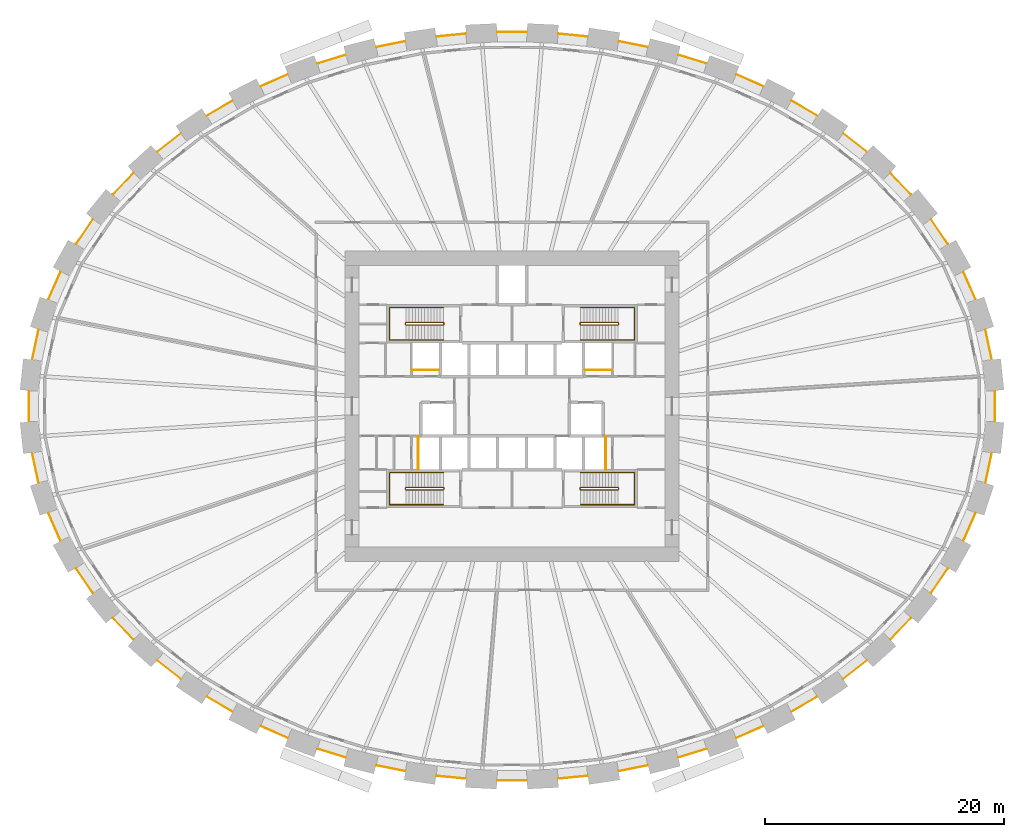
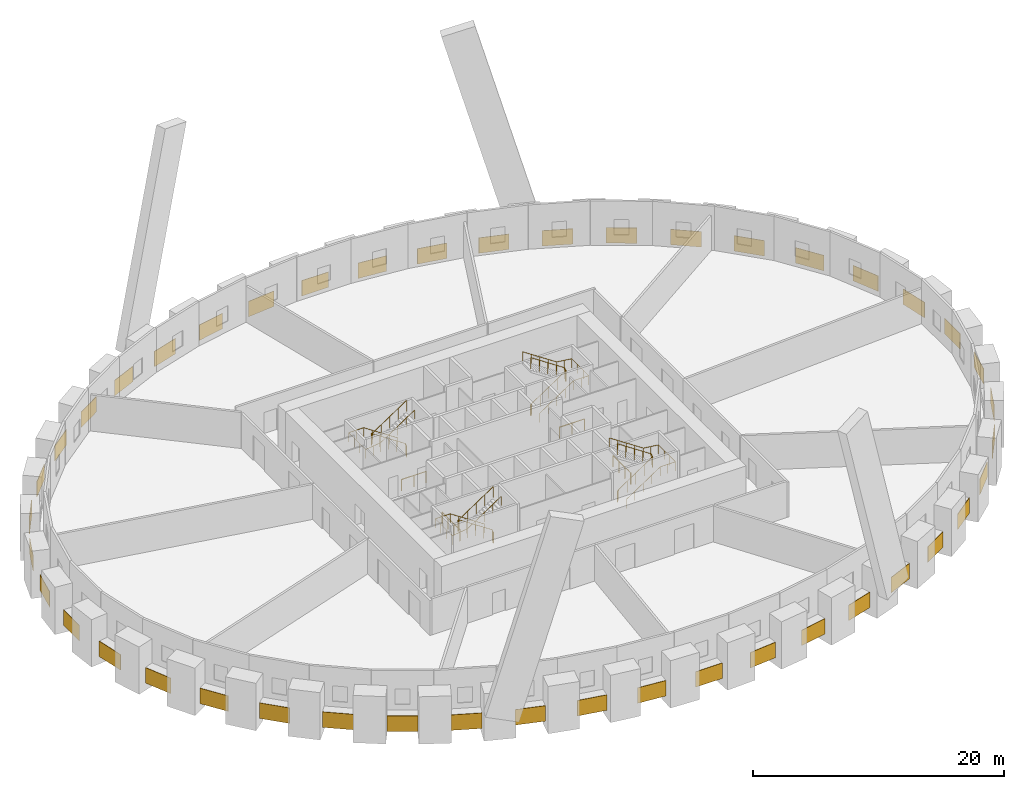
# One storey, part 9 of 9: 44 coverings, 12 railings.
"""IFC4 building model written with IfcOpenShell, lengths in metres."""

from ifc_helpers import new_model, si_unit, direction, frame, origin, origin_2d, place, context, subcontext, project, spatial, rectangle, circle, extrude, source, transform, mapped, material, layer, layer_set, type_object, element, save


model = new_model("IFC4")

# Units and contexts
model_context = context("Model", 3, precision=1e-05, world=origin(), true_north=direction((0.0, 1.0)))
body_context = subcontext(model_context, "Body", "Model", "MODEL_VIEW")
ifc_project = project(units=[si_unit("LENGTHUNIT", "METRE"), si_unit("AREAUNIT", "SQUARE_METRE"), si_unit("VOLUMEUNIT", "CUBIC_METRE"), si_unit("PLANEANGLEUNIT", "RADIAN"), si_unit("MASSUNIT", "GRAM", prefix="KILO")], contexts=[model_context])

# Site, building, storey
site_placement = place(None, origin())
site = spatial("IfcSite", under=ifc_project, at=site_placement, CompositionType="ELEMENT")
building_placement = place(site_placement, origin())
building = spatial("IfcBuilding", under=site, at=building_placement, Name="Embergate Tower", CompositionType="ELEMENT")
storey_placement = place(building_placement, frame((0.0, 0.0, 53.60009765625)))
storey = spatial("IfcBuildingStorey", under=building, at=storey_placement, Name="L09", CompositionType="ELEMENT", Elevation=53.60009765625)

# Coverings
ifc_material_1 = material(Name="Terracotta rainscreen on insulated backing", Category="masonry")
ifc_layer = layer(ifc_material_1, 0.0400390625)
ifc_layer_set = layer_set([ifc_layer], Name="Terracotta rainscreen on insulated backing")
covering_type = type_object("IfcCoveringType", Name="Terracotta rainscreen band", PredefinedType="CLADDING", material=ifc_layer_set)
shared_shape_1 = source(origin(), body_context, "Body", "SweptSolid", [
    extrude(rectangle(XDim=2.51611328125, YDim=0.0400390625, at=origin_2d()), origin(), (0.0, 0.0, 1.0), 1.5),
])
for number, where, z_axis, x_axis, name in (
    (1, (39.9111328125, 5.162353515625, -0.75), (0.0, 0.0, 1.0), (-0.210234587136, 0.977650969606, 0.0), "Rainscreen band 1"),
    (2, (-39.9111328125, 5.162353515625, -0.75), (0.0, 0.0, 1.0), (-0.210234587136, -0.977650969606, 0.0), "Rainscreen band 21"),
    (3, (-39.9111328125, -5.162353515625, -0.75), (0.0, 0.0, 1.0), (0.210234587136, -0.977650969606, 0.0), "Rainscreen band 23"),
    (4, (39.9111328125, -5.162353515625, -0.75), (0.0, 0.0, 1.0), (0.210234587136, 0.977650969606, 0.0), "Rainscreen band 43"),
):
    element("IfcCovering", number, at=place(storey_placement, frame(where, z_axis=z_axis, x_axis=x_axis)), inside=storey, type_object=covering_type, Name=name, PredefinedType="CLADDING", context=body_context, shape_type="MappedRepresentation", body=[
        mapped(shared_shape_1, transform((0.0, 0.0, 0.0))),
    ])
shared_shape_2 = source(origin(), body_context, "Body", "SweptSolid", [
    extrude(rectangle(XDim=2.51123046875, YDim=0.0400390625, at=origin_2d()), origin(), (0.0, 0.0, 1.0), 1.5),
])
for number, where, z_axis, x_axis, name in (
    (5, (38.316650390625, 10.0966796875, -0.75), (0.0, 0.0, 1.0), (-0.401404340796, 0.915900952718, 0.0), "Rainscreen band 2"),
    (6, (-38.316650390625, 10.0966796875, -0.75), (0.0, 0.0, 1.0), (-0.401404340796, -0.915900952718, 0.0), "Rainscreen band 20"),
    (7, (-38.316650390625, -10.0966796875, -0.75), (0.0, 0.0, 1.0), (0.401404340796, -0.915900952718, 0.0), "Rainscreen band 24"),
    (8, (38.316650390625, -10.0966796875, -0.75), (0.0, 0.0, 1.0), (0.401404340796, 0.915900952718, 0.0), "Rainscreen band 42"),
):
    element("IfcCovering", number, at=place(storey_placement, frame(where, z_axis=z_axis, x_axis=x_axis)), inside=storey, type_object=covering_type, Name=name, PredefinedType="CLADDING", context=body_context, shape_type="MappedRepresentation", body=[
        mapped(shared_shape_2, transform((0.0, 0.0, 0.0))),
    ])
shared_shape_3 = source(origin(), body_context, "Body", "SweptSolid", [
    extrude(rectangle(XDim=2.502197265625, YDim=0.0400390625, at=origin_2d()), origin(), (0.0, 0.0, 1.0), 1.5),
])
for number, where, z_axis, x_axis, name in (
    (9, (35.7958984375, 14.61376953125, -0.75), (0.0, 0.0, 1.0), (-0.562331639324, 0.826911801473, 0.0), "Rainscreen band 3"),
    (10, (-35.7958984375, 14.61376953125, -0.75), (0.0, 0.0, 1.0), (-0.562331639324, -0.826911801473, 0.0), "Rainscreen band 19"),
    (11, (-35.7958984375, -14.61376953125, -0.75), (0.0, 0.0, 1.0), (0.562331639324, -0.826911801473, 0.0), "Rainscreen band 25"),
    (12, (35.7958984375, -14.61376953125, -0.75), (0.0, 0.0, 1.0), (0.562331639324, 0.826911801473, 0.0), "Rainscreen band 41"),
):
    element("IfcCovering", number, at=place(storey_placement, frame(where, z_axis=z_axis, x_axis=x_axis)), inside=storey, type_object=covering_type, Name=name, PredefinedType="CLADDING", context=body_context, shape_type="MappedRepresentation", body=[
        mapped(shared_shape_3, transform((0.0, 0.0, 0.0))),
    ])
shared_shape_4 = source(origin(), body_context, "Body", "SweptSolid", [
    extrude(rectangle(XDim=2.495361328125, YDim=0.0400390625, at=origin_2d()), origin(), (0.0, 0.0, 1.0), 1.5),
])
for number, where, z_axis, x_axis, name in (
    (13, (32.553955078125, 18.626708984375, -0.75), (0.0, 0.0, 1.0), (-0.690075681341, 0.723737213374, 0.0), "Rainscreen band 4"),
    (14, (-32.553955078125, 18.626708984375, -0.75), (0.0, 0.0, 1.0), (-0.690075681341, -0.723737213374, 0.0), "Rainscreen band 18"),
    (15, (-32.553955078125, -18.626708984375, -0.75), (0.0, 0.0, 1.0), (0.690075681341, -0.723737213374, 0.0), "Rainscreen band 26"),
    (16, (32.553955078125, -18.626708984375, -0.75), (0.0, 0.0, 1.0), (0.690075681341, 0.723737213374, 0.0), "Rainscreen band 40"),
):
    element("IfcCovering", number, at=place(storey_placement, frame(where, z_axis=z_axis, x_axis=x_axis)), inside=storey, type_object=covering_type, Name=name, PredefinedType="CLADDING", context=body_context, shape_type="MappedRepresentation", body=[
        mapped(shared_shape_4, transform((0.0, 0.0, 0.0))),
    ])
shared_shape_5 = source(origin(), body_context, "Body", "SweptSolid", [
    extrude(rectangle(XDim=2.4873046875, YDim=0.0400390625, at=origin_2d()), origin(), (0.0, 0.0, 1.0), 1.5),
])
for number, where, z_axis, x_axis, name in (
    (17, (28.725830078125, 22.067138671875, -0.75), (0.0, 0.0, 1.0), (-0.788419976038, 0.615137335384, 0.0), "Rainscreen band 5"),
    (18, (-28.725830078125, 22.067138671875, -0.75), (0.0, 0.0, 1.0), (-0.788419976038, -0.615137335384, 0.0), "Rainscreen band 17"),
    (19, (-28.725830078125, -22.067138671875, -0.75), (0.0, 0.0, 1.0), (0.788419976038, -0.615137335384, 0.0), "Rainscreen band 27"),
    (20, (28.725830078125, -22.067138671875, -0.75), (0.0, 0.0, 1.0), (0.788419976038, 0.615137335384, 0.0), "Rainscreen band 39"),
):
    element("IfcCovering", number, at=place(storey_placement, frame(where, z_axis=z_axis, x_axis=x_axis)), inside=storey, type_object=covering_type, Name=name, PredefinedType="CLADDING", context=body_context, shape_type="MappedRepresentation", body=[
        mapped(shared_shape_5, transform((0.0, 0.0, 0.0))),
    ])
shared_shape_6 = source(origin(), body_context, "Body", "SweptSolid", [
    extrude(rectangle(XDim=2.4814453125, YDim=0.0400390625, at=origin_2d()), origin(), (0.0, 0.0, 1.0), 1.5),
])
for number, where, z_axis, x_axis, name in (
    (21, (24.48046875, 24.9541015625, -0.75), (0.0, 0.0, 1.0), (-0.86197531601, 0.506950248633, 0.0), "Rainscreen band 6"),
    (22, (-24.48046875, 24.9541015625, -0.75), (0.0, 0.0, 1.0), (-0.86197531601, -0.506950248633, 0.0), "Rainscreen band 16"),
    (23, (-24.48046875, -24.9541015625, -0.75), (0.0, 0.0, 1.0), (0.86197531601, -0.506950248633, 0.0), "Rainscreen band 28"),
    (24, (24.48046875, -24.9541015625, -0.75), (0.0, 0.0, 1.0), (0.86197531601, 0.506950248633, 0.0), "Rainscreen band 38"),
):
    element("IfcCovering", number, at=place(storey_placement, frame(where, z_axis=z_axis, x_axis=x_axis)), inside=storey, type_object=covering_type, Name=name, PredefinedType="CLADDING", context=body_context, shape_type="MappedRepresentation", body=[
        mapped(shared_shape_6, transform((0.0, 0.0, 0.0))),
    ])
shared_shape_7 = source(origin(), body_context, "Body", "SweptSolid", [
    extrude(rectangle(XDim=2.47900390625, YDim=0.0400390625, at=origin_2d()), origin(), (0.0, 0.0, 1.0), 1.5),
])
for number, where, z_axis, x_axis, name in (
    (25, (19.914794921875, 27.28369140625, -0.75), (0.0, 0.0, 1.0), (-0.91609280765, 0.400966292563, 0.0), "Rainscreen band 7"),
    (26, (-19.914794921875, 27.28369140625, -0.75), (0.0, 0.0, 1.0), (-0.91609280765, -0.400966292563, 0.0), "Rainscreen band 15"),
    (27, (-19.914794921875, -27.28369140625, -0.75), (0.0, 0.0, 1.0), (0.91609280765, -0.400966292563, 0.0), "Rainscreen band 29"),
    (28, (19.914794921875, -27.28369140625, -0.75), (0.0, 0.0, 1.0), (0.91609280765, 0.400966292563, 0.0), "Rainscreen band 37"),
):
    element("IfcCovering", number, at=place(storey_placement, frame(where, z_axis=z_axis, x_axis=x_axis)), inside=storey, type_object=covering_type, Name=name, PredefinedType="CLADDING", context=body_context, shape_type="MappedRepresentation", body=[
        mapped(shared_shape_7, transform((0.0, 0.0, 0.0))),
    ])
shared_shape_8 = source(origin(), body_context, "Body", "SweptSolid", [
    extrude(rectangle(XDim=2.474609375, YDim=0.0400390625, at=origin_2d()), origin(), (0.0, 0.0, 1.0), 1.5),
])
for number, where, z_axis, x_axis, name in (
    (29, (15.111083984375, 29.054443359375, -0.75), (0.0, 0.0, 1.0), (-0.954874394493, 0.297009916906, 0.0), "Rainscreen band 8"),
    (30, (-15.111083984375, 29.054443359375, -0.75), (0.0, 0.0, 1.0), (-0.954874394493, -0.297009916906, 0.0), "Rainscreen band 14"),
    (31, (-15.111083984375, -29.054443359375, -0.75), (0.0, 0.0, 1.0), (0.954874394493, -0.297009916906, 0.0), "Rainscreen band 30"),
    (32, (15.111083984375, -29.054443359375, -0.75), (0.0, 0.0, 1.0), (0.954874394493, 0.297009916906, 0.0), "Rainscreen band 36"),
):
    element("IfcCovering", number, at=place(storey_placement, frame(where, z_axis=z_axis, x_axis=x_axis)), inside=storey, type_object=covering_type, Name=name, PredefinedType="CLADDING", context=body_context, shape_type="MappedRepresentation", body=[
        mapped(shared_shape_8, transform((0.0, 0.0, 0.0))),
    ])
shared_shape_9 = source(origin(), body_context, "Body", "SweptSolid", [
    extrude(rectangle(XDim=2.47119140625, YDim=0.0400390625, at=origin_2d()), origin(), (0.0, 0.0, 1.0), 1.5),
])
for number, where, z_axis, x_axis, name in (
    (33, (10.156982421875, 30.31884765625, -0.75), (0.0, 0.0, 1.0), (-0.980471445554, 0.196661497131, 0.0), "Rainscreen band 9"),
    (34, (-10.156982421875, 30.31884765625, -0.75), (0.0, 0.0, 1.0), (-0.980471445554, -0.196661497131, 0.0), "Rainscreen band 13"),
    (35, (-10.156982421875, -30.31884765625, -0.75), (0.0, 0.0, 1.0), (0.980471445554, -0.196661497131, 0.0), "Rainscreen band 31"),
    (36, (10.156982421875, -30.31884765625, -0.75), (0.0, 0.0, 1.0), (0.980471445554, 0.196661497131, 0.0), "Rainscreen band 35"),
):
    element("IfcCovering", number, at=place(storey_placement, frame(where, z_axis=z_axis, x_axis=x_axis)), inside=storey, type_object=covering_type, Name=name, PredefinedType="CLADDING", context=body_context, shape_type="MappedRepresentation", body=[
        mapped(shared_shape_9, transform((0.0, 0.0, 0.0))),
    ])
shared_shape_10 = source(origin(), body_context, "Body", "SweptSolid", [
    extrude(rectangle(XDim=2.470947265625, YDim=0.0400390625, at=origin_2d()), origin(), (0.0, 0.0, 1.0), 1.5),
])
for number, where, z_axis, x_axis, name in (
    (37, (5.1025390625, 31.072021484375, -0.75), (0.0, 0.0, 1.0), (-0.995192250914, 0.09794071534, 0.0), "Rainscreen band 10"),
    (38, (-5.1025390625, 31.072021484375, -0.75), (0.0, 0.0, 1.0), (-0.995192250914, -0.09794071534, 0.0), "Rainscreen band 12"),
    (39, (-5.1025390625, -31.072021484375, -0.75), (0.0, 0.0, 1.0), (0.995192250914, -0.09794071534, 0.0), "Rainscreen band 32"),
    (40, (5.1025390625, -31.072021484375, -0.75), (0.0, 0.0, 1.0), (0.995192250914, 0.09794071534, 0.0), "Rainscreen band 34"),
):
    element("IfcCovering", number, at=place(storey_placement, frame(where, z_axis=z_axis, x_axis=x_axis)), inside=storey, type_object=covering_type, Name=name, PredefinedType="CLADDING", context=body_context, shape_type="MappedRepresentation", body=[
        mapped(shared_shape_10, transform((0.0, 0.0, 0.0))),
    ])
shared_shape_11 = source(origin(), body_context, "Body", "SweptSolid", [
    extrude(rectangle(XDim=2.469970703125, YDim=0.0400390625, at=origin_2d()), origin(), (0.0, 0.0, 1.0), 1.5),
])
for number, where, z_axis, x_axis, name in (
    (41, (0.0, 31.322998046875, -0.75), (0.0, 0.0, 1.0), (-1.0, 0.0, 0.0), "Rainscreen band 11"),
    (42, (0.0, -31.322998046875, -0.75), (0.0, 0.0, 1.0), (1.0, 0.0, 0.0), "Rainscreen band 33"),
):
    element("IfcCovering", number, at=place(storey_placement, frame(where, z_axis=z_axis, x_axis=x_axis)), inside=storey, type_object=covering_type, Name=name, PredefinedType="CLADDING", context=body_context, shape_type="MappedRepresentation", body=[
        mapped(shared_shape_11, transform((0.0, 0.0, 0.0))),
    ])
shared_shape_12 = source(origin(), body_context, "Body", "SweptSolid", [
    extrude(rectangle(XDim=2.51806640625, YDim=0.0400390625, at=origin_2d()), origin(), (0.0, 0.0, 1.0), 1.5),
])
for number, where, z_axis, x_axis, name in (
    (43, (-40.4599609375, 0.0, -0.75), (0.0, 0.0, 1.0), (0.0, -1.0, 0.0), "Rainscreen band 22"),
    (44, (40.4599609375, 0.0, -0.75), (0.0, 0.0, 1.0), (0.0, 1.0, 0.0), "Rainscreen band 44"),
):
    element("IfcCovering", number, at=place(storey_placement, frame(where, z_axis=z_axis, x_axis=x_axis)), inside=storey, type_object=covering_type, Name=name, PredefinedType="CLADDING", context=body_context, shape_type="MappedRepresentation", body=[
        mapped(shared_shape_12, transform((0.0, 0.0, 0.0))),
    ])

# Railings
ifc_material_2 = material(Name="Stair guard 1100")
railing_type_1 = type_object("IfcRailingType", Name="Stair guard 1100", PredefinedType="GUARDRAIL", material=ifc_material_2)
shared_shape_13 = source(origin(), body_context, "Body", "SweptSolid", [
    extrude(circle(Radius=0.02392578125, at=origin_2d()), frame((0.0, 0.0, 1.076171875), z_axis=(0.0, 1.0, 0.0), x_axis=(-1.0, 0.0, 0.0)), (0.0, 0.0, 1.0), 0.099853515625),
    extrude(circle(Radius=0.02392578125, at=origin_2d()), frame((0.0, 0.099853515625, 1.076171875), z_axis=(-0.267629722418, 0.267629722418, 0.925607186314), x_axis=(-0.707106781187, -0.707106781187, 0.0)), (0.0, 0.0, 1.0), 0.18701171875),
    extrude(circle(Radius=0.02392578125, at=origin_2d()), frame((-0.050048828125, 0.14990234375, 1.2490234375), z_axis=(-0.83244090515, 0.0, 0.554113832559), x_axis=(0.0, -1.0, 0.0)), (0.0, 0.0, 1.0), 3.748046875),
    extrude(circle(Radius=0.02392578125, at=origin_2d()), frame((-3.170166015625, 0.14990234375, 3.326171875), z_axis=(-0.705375805398, -0.708833529934, 0.0), x_axis=(0.708833529934, -0.705375805398, 0.0)), (0.0, 0.0, 1.0), 0.070556640625),
    extrude(circle(Radius=0.02392578125, at=origin_2d()), frame((-3.219970703125, 0.099853515625, 3.326171875), z_axis=(0.0, -1.0, 0.0), x_axis=(1.0, 0.0, 0.0)), (0.0, 0.0, 1.0), 0.099853515625),
    extrude(circle(Radius=0.02392578125, at=origin_2d()), frame((-3.219970703125, 0.0, 3.326171875), z_axis=(0.266417085129, -0.267723051232, 0.925929967433), x_axis=(0.708833529934, 0.705375805398, 0.0)), (0.0, 0.0, 1.0), 0.18701171875),
    extrude(circle(Radius=0.02392578125, at=origin_2d()), frame((-3.170166015625, -0.050048828125, 3.4990234375), z_axis=(0.83244090515, 0.0, 0.554113832559), x_axis=(0.0, 1.0, 0.0)), (0.0, 0.0, 1.0), 3.748046875),
    extrude(circle(Radius=0.02099609375, at=origin_2d()), origin(), (0.0, 0.0, 1.0), 1.052001953125),
    extrude(circle(Radius=0.02099609375, at=origin_2d()), frame((0.0, 0.099853515625, 0.0)), (0.0, 0.0, 1.0), 1.052001953125),
    extrude(circle(Radius=0.02099609375, at=origin_2d()), frame((-0.050048828125, 0.14990234375, 0.173095703125)), (0.0, 0.0, 1.0), 1.052001953125),
    extrude(circle(Radius=0.02099609375, at=origin_2d()), frame((-0.830078125, 0.14990234375, 0.6923828125)), (0.0, 0.0, 1.0), 1.052001953125),
    extrude(circle(Radius=0.02099609375, at=origin_2d()), frame((-1.610107421875, 0.14990234375, 1.21142578125)), (0.0, 0.0, 1.0), 1.052001953125),
    extrude(circle(Radius=0.02099609375, at=origin_2d()), frame((-2.39013671875, 0.14990234375, 1.730712890625)), (0.0, 0.0, 1.0), 1.052001953125),
    extrude(circle(Radius=0.02099609375, at=origin_2d()), frame((-3.170166015625, 0.14990234375, 2.25)), (0.0, 0.0, 1.0), 1.052001953125),
    extrude(circle(Radius=0.02099609375, at=origin_2d()), frame((-3.219970703125, 0.099853515625, 2.25)), (0.0, 0.0, 1.0), 1.052001953125),
    extrude(circle(Radius=0.02099609375, at=origin_2d()), frame((-3.219970703125, 0.0, 2.25)), (0.0, 0.0, 1.0), 1.052001953125),
    extrude(circle(Radius=0.02099609375, at=origin_2d()), frame((-3.170166015625, -0.050048828125, 2.423095703125)), (0.0, 0.0, 1.0), 1.052001953125),
    extrude(circle(Radius=0.02099609375, at=origin_2d()), frame((-2.39013671875, -0.050048828125, 2.9423828125)), (0.0, 0.0, 1.0), 1.052001953125),
    extrude(circle(Radius=0.02099609375, at=origin_2d()), frame((-1.610107421875, -0.050048828125, 3.46142578125)), (0.0, 0.0, 1.0), 1.052001953125),
    extrude(circle(Radius=0.02099609375, at=origin_2d()), frame((-0.830078125, -0.050048828125, 3.980712890625)), (0.0, 0.0, 1.0), 1.052001953125),
    extrude(circle(Radius=0.02099609375, at=origin_2d()), frame((-0.050048828125, -0.050048828125, 4.5)), (0.0, 0.0, 1.0), 1.052001953125),
])
for number, where, name in (
    (45, (-5.699951171875, 6.85009765625, 0.0), "L09 ST1 stair guard 1"),
    (46, (-5.699951171875, -6.949951171875, 0.0), "L09 ST3 stair guard 1"),
):
    element("IfcRailing", number, at=place(storey_placement, frame(where)), inside=storey, type_object=railing_type_1, Name=name, PredefinedType="GUARDRAIL", context=body_context, shape_type="MappedRepresentation", body=[
        mapped(shared_shape_13, transform((0.0, 0.0, 0.0))),
    ])
ifc_material_3 = material(Name="Stair handrail 900")
railing_type_2 = type_object("IfcRailingType", Name="Stair handrail 900", PredefinedType="HANDRAIL", material=ifc_material_3)
shared_shape_14 = source(origin(), body_context, "Body", "SweptSolid", [
    extrude(circle(Radius=0.02392578125, at=origin_2d()), frame((0.0, 0.0, 0.8759765625), z_axis=(-0.83244090515, 0.0, 0.554113832559), x_axis=(0.0, -1.0, 0.0)), (0.0, 0.0, 1.0), 3.748046875),
    extrude(circle(Radius=0.02392578125, at=origin_2d()), frame((-3.1201171875, 0.0, 2.95263671875), z_axis=(-1.0, 0.0, 0.0), x_axis=(0.0, -1.0, 0.0)), (0.0, 0.0, 1.0), 1.3798828125),
    extrude(circle(Radius=0.02392578125, at=origin_2d()), frame((-4.5, 0.0, 2.95263671875), z_axis=(0.0, -1.0, 0.0), x_axis=(1.0, 0.0, 0.0)), (0.0, 0.0, 1.0), 2.699951171875),
    extrude(circle(Radius=0.02392578125, at=origin_2d()), frame((-4.5, -2.699951171875, 2.95263671875), z_axis=(0.992223766409, 0.0, 0.12446685251), x_axis=(0.0, 1.0, 0.0)), (0.0, 0.0, 1.0), 1.390625),
    extrude(circle(Radius=0.02392578125, at=origin_2d()), frame((-3.1201171875, -2.699951171875, 3.1259765625), z_axis=(0.83244090515, 0.0, 0.554113832559), x_axis=(0.0, 1.0, 0.0)), (0.0, 0.0, 1.0), 3.748046875),
    extrude(circle(Radius=0.02099609375, at=origin_2d()), origin(), (0.0, 0.0, 1.0), 0.851806640625),
    extrude(circle(Radius=0.02099609375, at=origin_2d()), frame((-0.780029296875, 0.0, 0.519287109375)), (0.0, 0.0, 1.0), 0.851806640625),
    extrude(circle(Radius=0.02099609375, at=origin_2d()), frame((-1.56005859375, 0.0, 1.03857421875)), (0.0, 0.0, 1.0), 0.851806640625),
    extrude(circle(Radius=0.02099609375, at=origin_2d()), frame((-2.340087890625, 0.0, 1.5576171875)), (0.0, 0.0, 1.0), 0.851806640625),
    extrude(circle(Radius=0.02099609375, at=origin_2d()), frame((-3.1201171875, 0.0, 2.076904296875)), (0.0, 0.0, 1.0), 0.851806640625),
    extrude(circle(Radius=0.02099609375, at=origin_2d()), frame((-3.81005859375, 0.0, 2.076904296875)), (0.0, 0.0, 1.0), 0.851806640625),
    extrude(circle(Radius=0.02099609375, at=origin_2d()), frame((-4.5, 0.0, 2.076904296875)), (0.0, 0.0, 1.0), 0.851806640625),
    extrude(circle(Radius=0.02099609375, at=origin_2d()), frame((-4.5, -0.89990234375, 2.076904296875)), (0.0, 0.0, 1.0), 0.851806640625),
    extrude(circle(Radius=0.02099609375, at=origin_2d()), frame((-4.5, -1.800048828125, 2.076904296875)), (0.0, 0.0, 1.0), 0.851806640625),
    extrude(circle(Radius=0.02099609375, at=origin_2d()), frame((-4.5, -2.699951171875, 2.076904296875)), (0.0, 0.0, 1.0), 0.851806640625),
    extrude(circle(Radius=0.02099609375, at=origin_2d()), frame((-3.81005859375, -2.699951171875, 2.16357421875)), (0.0, 0.0, 1.0), 0.851806640625),
    extrude(circle(Radius=0.02099609375, at=origin_2d()), frame((-3.1201171875, -2.699951171875, 2.25)), (0.0, 0.0, 1.0), 0.851806640625),
    extrude(circle(Radius=0.02099609375, at=origin_2d()), frame((-2.340087890625, -2.699951171875, 2.769287109375)), (0.0, 0.0, 1.0), 0.851806640625),
    extrude(circle(Radius=0.02099609375, at=origin_2d()), frame((-1.56005859375, -2.699951171875, 3.28857421875)), (0.0, 0.0, 1.0), 0.851806640625),
    extrude(circle(Radius=0.02099609375, at=origin_2d()), frame((-0.780029296875, -2.699951171875, 3.8076171875)), (0.0, 0.0, 1.0), 0.851806640625),
    extrude(circle(Radius=0.02099609375, at=origin_2d()), frame((0.0, -2.699951171875, 4.326904296875)), (0.0, 0.0, 1.0), 0.851806640625),
])
for number, where, name in (
    (47, (-5.75, 8.25, 0.173095703125), "L09 ST1 stair handrail 1"),
    (48, (-5.75, -5.550048828125, 0.173095703125), "L09 ST3 stair handrail 1"),
):
    element("IfcRailing", number, at=place(storey_placement, frame(where)), inside=storey, type_object=railing_type_2, Name=name, PredefinedType="HANDRAIL", context=body_context, shape_type="MappedRepresentation", body=[
        mapped(shared_shape_14, transform((0.0, 0.0, 0.0))),
    ])
shared_shape_15 = source(origin(), body_context, "Body", "SweptSolid", [
    extrude(circle(Radius=0.02392578125, at=origin_2d()), frame((0.0, 0.0, 1.076171875), z_axis=(0.0, -1.0, 0.0), x_axis=(1.0, 0.0, 0.0)), (0.0, 0.0, 1.0), 0.099853515625),
    extrude(circle(Radius=0.02392578125, at=origin_2d()), frame((0.0, -0.099853515625, 1.076171875), z_axis=(0.267629722418, -0.267629722418, 0.925607186314), x_axis=(0.707106781187, 0.707106781187, 0.0)), (0.0, 0.0, 1.0), 0.18701171875),
    extrude(circle(Radius=0.02392578125, at=origin_2d()), frame((0.050048828125, -0.14990234375, 1.2490234375), z_axis=(0.83244090515, 0.0, 0.554113832559), x_axis=(0.0, 1.0, 0.0)), (0.0, 0.0, 1.0), 3.748046875),
    extrude(circle(Radius=0.02392578125, at=origin_2d()), frame((3.170166015625, -0.14990234375, 3.326171875), z_axis=(0.705375805398, 0.708833529934, 0.0), x_axis=(-0.708833529934, 0.705375805398, 0.0)), (0.0, 0.0, 1.0), 0.070556640625),
    extrude(circle(Radius=0.02392578125, at=origin_2d()), frame((3.219970703125, -0.099853515625, 3.326171875), z_axis=(0.0, 1.0, 0.0), x_axis=(-1.0, 0.0, 0.0)), (0.0, 0.0, 1.0), 0.099853515625),
    extrude(circle(Radius=0.02392578125, at=origin_2d()), frame((3.219970703125, 0.0, 3.326171875), z_axis=(-0.266417085129, 0.267723051232, 0.925929967433), x_axis=(-0.708833529934, -0.705375805398, 0.0)), (0.0, 0.0, 1.0), 0.18701171875),
    extrude(circle(Radius=0.02392578125, at=origin_2d()), frame((3.170166015625, 0.050048828125, 3.4990234375), z_axis=(-0.83244090515, 0.0, 0.554113832559), x_axis=(0.0, -1.0, 0.0)), (0.0, 0.0, 1.0), 3.748046875),
    extrude(circle(Radius=0.02099609375, at=origin_2d()), origin(), (0.0, 0.0, 1.0), 1.052001953125),
    extrude(circle(Radius=0.02099609375, at=origin_2d()), frame((0.0, -0.099853515625, 0.0)), (0.0, 0.0, 1.0), 1.052001953125),
    extrude(circle(Radius=0.02099609375, at=origin_2d()), frame((0.050048828125, -0.14990234375, 0.173095703125)), (0.0, 0.0, 1.0), 1.052001953125),
    extrude(circle(Radius=0.02099609375, at=origin_2d()), frame((0.830078125, -0.14990234375, 0.6923828125)), (0.0, 0.0, 1.0), 1.052001953125),
    extrude(circle(Radius=0.02099609375, at=origin_2d()), frame((1.610107421875, -0.14990234375, 1.21142578125)), (0.0, 0.0, 1.0), 1.052001953125),
    extrude(circle(Radius=0.02099609375, at=origin_2d()), frame((2.39013671875, -0.14990234375, 1.730712890625)), (0.0, 0.0, 1.0), 1.052001953125),
    extrude(circle(Radius=0.02099609375, at=origin_2d()), frame((3.170166015625, -0.14990234375, 2.25)), (0.0, 0.0, 1.0), 1.052001953125),
    extrude(circle(Radius=0.02099609375, at=origin_2d()), frame((3.219970703125, -0.099853515625, 2.25)), (0.0, 0.0, 1.0), 1.052001953125),
    extrude(circle(Radius=0.02099609375, at=origin_2d()), frame((3.219970703125, 0.0, 2.25)), (0.0, 0.0, 1.0), 1.052001953125),
    extrude(circle(Radius=0.02099609375, at=origin_2d()), frame((3.170166015625, 0.050048828125, 2.423095703125)), (0.0, 0.0, 1.0), 1.052001953125),
    extrude(circle(Radius=0.02099609375, at=origin_2d()), frame((2.39013671875, 0.050048828125, 2.9423828125)), (0.0, 0.0, 1.0), 1.052001953125),
    extrude(circle(Radius=0.02099609375, at=origin_2d()), frame((1.610107421875, 0.050048828125, 3.46142578125)), (0.0, 0.0, 1.0), 1.052001953125),
    extrude(circle(Radius=0.02099609375, at=origin_2d()), frame((0.830078125, 0.050048828125, 3.980712890625)), (0.0, 0.0, 1.0), 1.052001953125),
    extrude(circle(Radius=0.02099609375, at=origin_2d()), frame((0.050048828125, 0.050048828125, 4.5)), (0.0, 0.0, 1.0), 1.052001953125),
])
for number, where, name in (
    (49, (5.699951171875, 6.949951171875, 0.0), "L09 ST2 stair guard 1"),
    (50, (5.699951171875, -6.85009765625, 0.0), "L09 ST4 stair guard 1"),
):
    element("IfcRailing", number, at=place(storey_placement, frame(where)), inside=storey, type_object=railing_type_1, Name=name, PredefinedType="GUARDRAIL", context=body_context, shape_type="MappedRepresentation", body=[
        mapped(shared_shape_15, transform((0.0, 0.0, 0.0))),
    ])
shared_shape_16 = source(origin(), body_context, "Body", "SweptSolid", [
    extrude(circle(Radius=0.02392578125, at=origin_2d()), frame((0.0, 0.0, 0.8759765625), z_axis=(0.83244090515, 0.0, 0.554113832559), x_axis=(0.0, 1.0, 0.0)), (0.0, 0.0, 1.0), 3.748046875),
    extrude(circle(Radius=0.02392578125, at=origin_2d()), frame((3.1201171875, 0.0, 2.95263671875), z_axis=(1.0, 0.0, 0.0), x_axis=(0.0, 1.0, 0.0)), (0.0, 0.0, 1.0), 1.3798828125),
    extrude(circle(Radius=0.02392578125, at=origin_2d()), frame((4.5, 0.0, 2.95263671875), z_axis=(0.0, 1.0, 0.0), x_axis=(-1.0, 0.0, 0.0)), (0.0, 0.0, 1.0), 2.699951171875),
    extrude(circle(Radius=0.02392578125, at=origin_2d()), frame((4.5, 2.699951171875, 2.95263671875), z_axis=(-0.992223766409, 0.0, 0.12446685251), x_axis=(0.0, -1.0, 0.0)), (0.0, 0.0, 1.0), 1.390625),
    extrude(circle(Radius=0.02392578125, at=origin_2d()), frame((3.1201171875, 2.699951171875, 3.1259765625), z_axis=(-0.83244090515, 0.0, 0.554113832559), x_axis=(0.0, -1.0, 0.0)), (0.0, 0.0, 1.0), 3.748046875),
    extrude(circle(Radius=0.02099609375, at=origin_2d()), origin(), (0.0, 0.0, 1.0), 0.851806640625),
    extrude(circle(Radius=0.02099609375, at=origin_2d()), frame((0.780029296875, 0.0, 0.519287109375)), (0.0, 0.0, 1.0), 0.851806640625),
    extrude(circle(Radius=0.02099609375, at=origin_2d()), frame((1.56005859375, 0.0, 1.03857421875)), (0.0, 0.0, 1.0), 0.851806640625),
    extrude(circle(Radius=0.02099609375, at=origin_2d()), frame((2.340087890625, 0.0, 1.5576171875)), (0.0, 0.0, 1.0), 0.851806640625),
    extrude(circle(Radius=0.02099609375, at=origin_2d()), frame((3.1201171875, 0.0, 2.076904296875)), (0.0, 0.0, 1.0), 0.851806640625),
    extrude(circle(Radius=0.02099609375, at=origin_2d()), frame((3.81005859375, 0.0, 2.076904296875)), (0.0, 0.0, 1.0), 0.851806640625),
    extrude(circle(Radius=0.02099609375, at=origin_2d()), frame((4.5, 0.0, 2.076904296875)), (0.0, 0.0, 1.0), 0.851806640625),
    extrude(circle(Radius=0.02099609375, at=origin_2d()), frame((4.5, 0.89990234375, 2.076904296875)), (0.0, 0.0, 1.0), 0.851806640625),
    extrude(circle(Radius=0.02099609375, at=origin_2d()), frame((4.5, 1.800048828125, 2.076904296875)), (0.0, 0.0, 1.0), 0.851806640625),
    extrude(circle(Radius=0.02099609375, at=origin_2d()), frame((4.5, 2.699951171875, 2.076904296875)), (0.0, 0.0, 1.0), 0.851806640625),
    extrude(circle(Radius=0.02099609375, at=origin_2d()), frame((3.81005859375, 2.699951171875, 2.16357421875)), (0.0, 0.0, 1.0), 0.851806640625),
    extrude(circle(Radius=0.02099609375, at=origin_2d()), frame((3.1201171875, 2.699951171875, 2.25)), (0.0, 0.0, 1.0), 0.851806640625),
    extrude(circle(Radius=0.02099609375, at=origin_2d()), frame((2.340087890625, 2.699951171875, 2.769287109375)), (0.0, 0.0, 1.0), 0.851806640625),
    extrude(circle(Radius=0.02099609375, at=origin_2d()), frame((1.56005859375, 2.699951171875, 3.28857421875)), (0.0, 0.0, 1.0), 0.851806640625),
    extrude(circle(Radius=0.02099609375, at=origin_2d()), frame((0.780029296875, 2.699951171875, 3.8076171875)), (0.0, 0.0, 1.0), 0.851806640625),
    extrude(circle(Radius=0.02099609375, at=origin_2d()), frame((0.0, 2.699951171875, 4.326904296875)), (0.0, 0.0, 1.0), 0.851806640625),
])
for number, where, name in (
    (51, (5.75, 5.550048828125, 0.173095703125), "L09 ST2 stair handrail 1"),
    (52, (5.75, -8.25, 0.173095703125), "L09 ST4 stair handrail 1"),
):
    element("IfcRailing", number, at=place(storey_placement, frame(where)), inside=storey, type_object=railing_type_2, Name=name, PredefinedType="HANDRAIL", context=body_context, shape_type="MappedRepresentation", body=[
        mapped(shared_shape_16, transform((0.0, 0.0, 0.0))),
    ])
ifc_material_4 = material(Name="Opening guard 1100")
railing_type_3 = type_object("IfcRailingType", Name="Opening guard 1100", PredefinedType="GUARDRAIL", material=ifc_material_4)
shared_shape_17 = source(origin(), body_context, "Body", "SweptSolid", [
    extrude(circle(Radius=0.02392578125, at=origin_2d()), frame((0.0, 0.0, 1.076171875), z_axis=(1.0, 0.0, 0.0), x_axis=(0.0, 1.0, 0.0)), (0.0, 0.0, 1.0), 2.27490234375),
    extrude(circle(Radius=0.02099609375, at=origin_2d()), origin(), (0.0, 0.0, 1.0), 1.052001953125),
    extrude(circle(Radius=0.02099609375, at=origin_2d()), frame((1.137451171875, 0.0, 0.0)), (0.0, 0.0, 1.0), 1.052001953125),
    extrude(circle(Radius=0.02099609375, at=origin_2d()), frame((2.27490234375, 0.0, 0.0)), (0.0, 0.0, 1.0), 1.052001953125),
])
for number, where, name in (
    (53, (-8.39990234375, 3.050048828125, 0.0), "Riser opening guard"),
    (54, (6.125, 3.050048828125, 0.0), "Riser opening guard"),
):
    element("IfcRailing", number, at=place(storey_placement, frame(where)), inside=storey, type_object=railing_type_3, Name=name, PredefinedType="GUARDRAIL", context=body_context, shape_type="MappedRepresentation", body=[
        mapped(shared_shape_17, transform((0.0, 0.0, 0.0))),
    ])
shared_shape_18 = source(origin(), body_context, "Body", "SweptSolid", [
    extrude(circle(Radius=0.02392578125, at=origin_2d()), frame((0.0, 0.0, 1.076171875), z_axis=(0.0, 1.0, 0.0), x_axis=(-1.0, 0.0, 0.0)), (0.0, 0.0, 1.0), 2.800048828125),
    extrude(circle(Radius=0.02099609375, at=origin_2d()), origin(), (0.0, 0.0, 1.0), 1.052001953125),
    extrude(circle(Radius=0.02099609375, at=origin_2d()), frame((0.0, 0.933349609375, 0.0)), (0.0, 0.0, 1.0), 1.052001953125),
    extrude(circle(Radius=0.02099609375, at=origin_2d()), frame((0.0, 1.86669921875, 0.0)), (0.0, 0.0, 1.0), 1.052001953125),
    extrude(circle(Radius=0.02099609375, at=origin_2d()), frame((0.0, 2.800048828125, 0.0)), (0.0, 0.0, 1.0), 1.052001953125),
])
for number, where, name in (
    (55, (-7.85009765625, -5.300048828125, 0.0), "Riser opening guard"),
    (56, (7.85009765625, -5.300048828125, 0.0), "Riser opening guard"),
):
    element("IfcRailing", number, at=place(storey_placement, frame(where)), inside=storey, type_object=railing_type_3, Name=name, PredefinedType="GUARDRAIL", context=body_context, shape_type="MappedRepresentation", body=[
        mapped(shared_shape_18, transform((0.0, 0.0, 0.0))),
    ])

save(model, "model.ifc")
